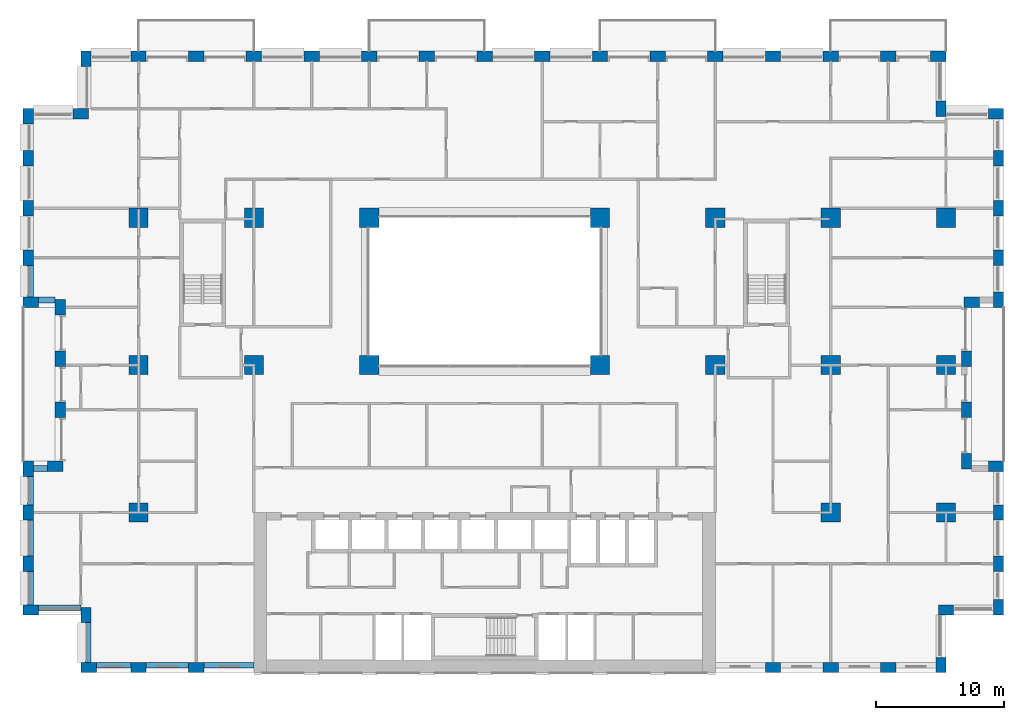
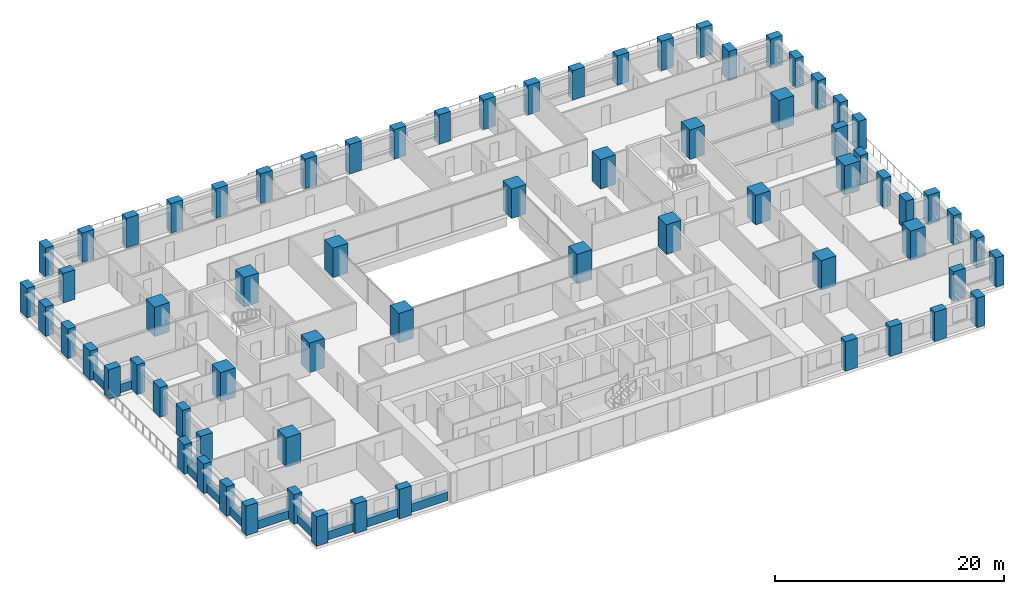
# One storey, part 1 of 20: 70 columns, 11 beams.
"""IFC4 building model written with IfcOpenShell, lengths in metres."""

from ifc_helpers import new_model, si_unit, direction, frame, origin, origin_2d, place, context, subcontext, project, spatial, rectangle, extrude, material, material_profile, profile_set, type_object, element, save


model = new_model("IFC4")

# Units and contexts
model_context = context("Model", 3, precision=1e-05, world=origin(), true_north=direction((0.0, 1.0)))
body_context = subcontext(model_context, "Body", "Model", "MODEL_VIEW")
ifc_project = project(units=[si_unit("LENGTHUNIT", "METRE"), si_unit("AREAUNIT", "SQUARE_METRE"), si_unit("VOLUMEUNIT", "CUBIC_METRE"), si_unit("PLANEANGLEUNIT", "RADIAN"), si_unit("MASSUNIT", "GRAM", prefix="KILO")], contexts=[model_context])

# Site, building, storey
site_placement = place(None, origin())
site = spatial("IfcSite", under=ifc_project, at=site_placement, CompositionType="ELEMENT")
building_placement = place(site_placement, origin())
building = spatial("IfcBuilding", under=site, at=building_placement, Name="Brigalow Station Residences", CompositionType="ELEMENT")
storey_placement = place(building_placement, frame((0.0, 0.0, 41.550048828125)))
storey = spatial("IfcBuildingStorey", under=building, at=storey_placement, Name="L11", CompositionType="ELEMENT", Elevation=41.550048828125)

# Columns
ifc_material_1 = material(Name="Concrete C80", Category="concrete")
ifc_material_profile_1 = material_profile(ifc_material_1, rectangle(XDim=1.5, YDim=1.5, at=origin_2d()), Name="RC1500x1500")
ifc_profile_set_1 = profile_set([ifc_material_profile_1], Name="Concrete C80")
column_type_1 = type_object("IfcColumnType", Name="COLUMN 1500x1500 C80", PredefinedType="COLUMN", material=ifc_profile_set_1)
for number, where, z_axis, x_axis, name in (
    (1, (9.0, 24.0, 0.0), (0.0, 0.0, 1.0), (1.0, 0.0, 0.0), "COLUMN C1 L11"),
    (2, (18.0, 24.0, 0.0), (0.0, 0.0, 1.0), (1.0, 0.0, 0.0), "COLUMN C2 L11"),
    (3, (27.0, 24.0, 0.0), (0.0, 0.0, 1.0), (1.0, 0.0, 0.0), "COLUMN C3 L11"),
    (4, (45.0, 24.0, 0.0), (0.0, 0.0, 1.0), (1.0, 0.0, 0.0), "COLUMN C5 L11"),
    (5, (54.0, 24.0, 0.0), (0.0, 0.0, 1.0), (1.0, 0.0, 0.0), "COLUMN C6 L11"),
    (6, (63.0, 24.0, 0.0), (0.0, 0.0, 1.0), (1.0, 0.0, 0.0), "COLUMN C7 L11"),
    (7, (72.0, 24.0, 0.0), (0.0, 0.0, 1.0), (1.0, 0.0, 0.0), "COLUMN C8 L11"),
    (8, (9.0, 35.5, 0.0), (0.0, 0.0, 1.0), (1.0, 0.0, 0.0), "COLUMN D1 L11"),
    (9, (18.0, 35.5, 0.0), (0.0, 0.0, 1.0), (1.0, 0.0, 0.0), "COLUMN D2 L11"),
    (10, (27.0, 35.5, 0.0), (0.0, 0.0, 1.0), (1.0, 0.0, 0.0), "COLUMN D3 L11"),
    (11, (45.0, 35.5, 0.0), (0.0, 0.0, 1.0), (1.0, 0.0, 0.0), "COLUMN D5 L11"),
    (12, (54.0, 35.5, 0.0), (0.0, 0.0, 1.0), (1.0, 0.0, 0.0), "COLUMN D6 L11"),
    (13, (63.0, 35.5, 0.0), (0.0, 0.0, 1.0), (1.0, 0.0, 0.0), "COLUMN D7 L11"),
    (14, (72.0, 35.5, 0.0), (0.0, 0.0, 1.0), (1.0, 0.0, 0.0), "COLUMN D8 L11"),
    (15, (9.0, 12.5, 0.0), (0.0, 0.0, 1.0), (1.0, 0.0, 0.0), "COLUMN B1 L11"),
    (16, (63.0, 12.5, 0.0), (0.0, 0.0, 1.0), (1.0, 0.0, 0.0), "COLUMN B7 L11"),
    (17, (72.0, 12.5, 0.0), (0.0, 0.0, 1.0), (1.0, 0.0, 0.0), "COLUMN B8 L11"),
):
    element("IfcColumn", number, at=place(storey_placement, frame(where, z_axis=z_axis, x_axis=x_axis)), inside=storey, type_object=column_type_1, Name=name, PredefinedType="COLUMN", context=body_context, shape_type="SweptSolid", body=[
        extrude(rectangle(XDim=1.5, YDim=1.5, at=origin_2d()), origin(), (0.0, 0.0, 1.0), 3.14990234375),
    ])
ifc_material_2 = material(Name="Concrete C80", Category="concrete")
ifc_material_profile_2 = material_profile(ifc_material_2, rectangle(XDim=1.199951171875, YDim=0.800048828125, at=origin_2d()), Name="RC1200x800")
ifc_profile_set_2 = profile_set([ifc_material_profile_2], Name="Concrete C80")
column_type_2 = type_object("IfcColumnType", Name="PIER 1200x800 C80", PredefinedType="USERDEFINED", material=ifc_profile_set_2)
for number, where, z_axis, x_axis, name in (
    (18, (5.10009765625, 0.39990234375, 0.0), (0.0, 0.0, 1.0), (1.0, 0.0, 0.0), "PIER S-1 L11"),
    (19, (9.0, 0.39990234375, 0.0), (0.0, 0.0, 1.0), (1.0, 0.0, 0.0), "PIER S-2 L11"),
    (20, (13.5, 0.39990234375, 0.0), (0.0, 0.0, 1.0), (1.0, 0.0, 0.0), "PIER S-3 L11"),
    (21, (58.5, 0.39990234375, 0.0), (0.0, 0.0, 1.0), (1.0, 0.0, 0.0), "PIER S-13 L11"),
    (22, (63.0, 0.39990234375, 0.0), (0.0, 0.0, 1.0), (1.0, 0.0, 0.0), "PIER S-14 L11"),
    (23, (67.5, 0.39990234375, 0.0), (0.0, 0.0, 1.0), (1.0, 0.0, 0.0), "PIER S-15 L11"),
    (24, (71.60009765625, 0.60009765625, 0.0), (0.0, 0.0, 1.0), (0.0, 1.0, 0.0), "PIER SE1-1 L11"),
    (25, (72.0, 4.89990234375, 0.0), (0.0, 0.0, 1.0), (1.0, 0.0, 0.0), "PIER SE2-1 L11"),
    (26, (76.10009765625, 5.10009765625, 0.0), (0.0, 0.0, 1.0), (0.0, 1.0, 0.0), "PIER E1-1 L11"),
    (27, (76.10009765625, 8.5, 0.0), (0.0, 0.0, 1.0), (0.0, 1.0, 0.0), "PIER E1-2 L11"),
    (28, (76.10009765625, 12.5, 0.0), (0.0, 0.0, 1.0), (0.0, 1.0, 0.0), "PIER E1-3 L11"),
    (29, (75.89990234375, 16.10009765625, 0.0), (0.0, 0.0, 1.0), (-1.0, 0.0, 0.0), "PIER EL1-1 L11"),
    (30, (73.60009765625, 16.5, 0.0), (0.0, 0.0, 1.0), (0.0, 1.0, 0.0), "PIER EL2-1 L11"),
    (31, (73.60009765625, 20.5, 0.0), (0.0, 0.0, 1.0), (0.0, 1.0, 0.0), "PIER EL2-2 L11"),
    (32, (73.60009765625, 24.5, 0.0), (0.0, 0.0, 1.0), (0.0, 1.0, 0.0), "PIER EL2-3 L11"),
    (33, (74.0, 28.89990234375, 0.0), (0.0, 0.0, 1.0), (1.0, 0.0, 0.0), "PIER EL3-1 L11"),
    (34, (76.10009765625, 29.10009765625, 0.0), (0.0, 0.0, 1.0), (0.0, 1.0, 0.0), "PIER E2-1 L11"),
    (35, (76.10009765625, 32.375, 0.0), (0.0, 0.0, 1.0), (0.0, 1.0, 0.0), "PIER E2-2 L11"),
    (36, (76.10009765625, 36.25, 0.0), (0.0, 0.0, 1.0), (0.0, 1.0, 0.0), "PIER E2-3 L11"),
    (37, (76.10009765625, 40.125, 0.0), (0.0, 0.0, 1.0), (0.0, 1.0, 0.0), "PIER E2-4 L11"),
    (38, (75.89990234375, 43.60009765625, 0.0), (0.0, 0.0, 1.0), (-1.0, 0.0, 0.0), "PIER NE1-1 L11"),
    (39, (71.60009765625, 44.0, 0.0), (0.0, 0.0, 1.0), (0.0, 1.0, 0.0), "PIER NE2-1 L11"),
    (40, (71.39990234375, 48.10009765625, 0.0), (0.0, 0.0, 1.0), (-1.0, 0.0, 0.0), "PIER N-1 L11"),
    (41, (67.5, 48.10009765625, 0.0), (0.0, 0.0, 1.0), (-1.0, 0.0, 0.0), "PIER N-2 L11"),
    (42, (63.0, 48.10009765625, 0.0), (0.0, 0.0, 1.0), (-1.0, 0.0, 0.0), "PIER N-3 L11"),
    (43, (58.5, 48.10009765625, 0.0), (0.0, 0.0, 1.0), (-1.0, 0.0, 0.0), "PIER N-4 L11"),
    (44, (54.0, 48.10009765625, 0.0), (0.0, 0.0, 1.0), (-1.0, 0.0, 0.0), "PIER N-5 L11"),
    (45, (49.5, 48.10009765625, 0.0), (0.0, 0.0, 1.0), (-1.0, 0.0, 0.0), "PIER N-6 L11"),
    (46, (45.0, 48.10009765625, 0.0), (0.0, 0.0, 1.0), (-1.0, 0.0, 0.0), "PIER N-7 L11"),
    (47, (40.5, 48.10009765625, 0.0), (0.0, 0.0, 1.0), (-1.0, 0.0, 0.0), "PIER N-8 L11"),
    (48, (36.0, 48.10009765625, 0.0), (0.0, 0.0, 1.0), (-1.0, 0.0, 0.0), "PIER N-9 L11"),
    (49, (31.5, 48.10009765625, 0.0), (0.0, 0.0, 1.0), (-1.0, 0.0, 0.0), "PIER N-10 L11"),
    (50, (27.0, 48.10009765625, 0.0), (0.0, 0.0, 1.0), (-1.0, 0.0, 0.0), "PIER N-11 L11"),
    (51, (22.5, 48.10009765625, 0.0), (0.0, 0.0, 1.0), (-1.0, 0.0, 0.0), "PIER N-12 L11"),
    (52, (18.0, 48.10009765625, 0.0), (0.0, 0.0, 1.0), (-1.0, 0.0, 0.0), "PIER N-13 L11"),
    (53, (13.5, 48.10009765625, 0.0), (0.0, 0.0, 1.0), (-1.0, 0.0, 0.0), "PIER N-14 L11"),
    (54, (9.0, 48.10009765625, 0.0), (0.0, 0.0, 1.0), (-1.0, 0.0, 0.0), "PIER N-15 L11"),
    (55, (4.89990234375, 47.89990234375, 0.0), (0.0, 0.0, 1.0), (0.0, -1.0, 0.0), "PIER NW1-1 L11"),
    (56, (4.5, 43.60009765625, 0.0), (0.0, 0.0, 1.0), (-1.0, 0.0, 0.0), "PIER NW2-1 L11"),
    (57, (0.39990234375, 43.39990234375, 0.0), (0.0, 0.0, 1.0), (0.0, -1.0, 0.0), "PIER W2-1 L11"),
    (58, (0.39990234375, 40.125, 0.0), (0.0, 0.0, 1.0), (0.0, -1.0, 0.0), "PIER W2-2 L11"),
    (59, (0.39990234375, 36.25, 0.0), (0.0, 0.0, 1.0), (0.0, -1.0, 0.0), "PIER W2-3 L11"),
    (60, (0.39990234375, 32.375, 0.0), (0.0, 0.0, 1.0), (0.0, -1.0, 0.0), "PIER W2-4 L11"),
    (61, (0.60009765625, 28.89990234375, 0.0), (0.0, 0.0, 1.0), (1.0, 0.0, 0.0), "PIER WL1-1 L11"),
    (62, (2.89990234375, 28.5, 0.0), (0.0, 0.0, 1.0), (0.0, -1.0, 0.0), "PIER WL2-1 L11"),
    (63, (2.89990234375, 24.5, 0.0), (0.0, 0.0, 1.0), (0.0, -1.0, 0.0), "PIER WL2-2 L11"),
    (64, (2.89990234375, 20.5, 0.0), (0.0, 0.0, 1.0), (0.0, -1.0, 0.0), "PIER WL2-3 L11"),
    (65, (2.5, 16.10009765625, 0.0), (0.0, 0.0, 1.0), (-1.0, 0.0, 0.0), "PIER WL3-1 L11"),
    (66, (0.39990234375, 15.89990234375, 0.0), (0.0, 0.0, 1.0), (0.0, -1.0, 0.0), "PIER W1-1 L11"),
    (67, (0.39990234375, 12.5, 0.0), (0.0, 0.0, 1.0), (0.0, -1.0, 0.0), "PIER W1-2 L11"),
    (68, (0.39990234375, 8.5, 0.0), (0.0, 0.0, 1.0), (0.0, -1.0, 0.0), "PIER W1-3 L11"),
    (69, (0.60009765625, 4.89990234375, 0.0), (0.0, 0.0, 1.0), (1.0, 0.0, 0.0), "PIER SW1-1 L11"),
    (70, (4.89990234375, 4.5, 0.0), (0.0, 0.0, 1.0), (0.0, -1.0, 0.0), "PIER SW2-1 L11"),
):
    element("IfcColumn", number, at=place(storey_placement, frame(where, z_axis=z_axis, x_axis=x_axis)), inside=storey, type_object=column_type_2, Name=name, ObjectType="PIER", PredefinedType="USERDEFINED", context=body_context, shape_type="SweptSolid", body=[
        extrude(rectangle(XDim=1.199951171875, YDim=0.800048828125, at=origin_2d()), origin(), (0.0, 0.0, 1.0), 3.14990234375),
    ])

# Beams
ifc_material_3 = material(Name="Concrete C65", Category="concrete")
ifc_material_profile_3 = material_profile(ifc_material_3, rectangle(XDim=0.449951171875, YDim=0.89990234375, at=origin_2d()), Name="RC450x900")
ifc_profile_set_3 = profile_set([ifc_material_profile_3], Name="Concrete C65")
beam_type = type_object("IfcBeamType", Name="SPANDREL BEAM 450x900 C65", PredefinedType="SPANDREL", material=ifc_profile_set_3)
beam_1_placement = place(storey_placement, frame((5.699951171875, 0.574951171875, 0.449951171875), z_axis=(1.0, 0.0, 0.0), x_axis=(0.0, 1.0, 0.0)))
element("IfcBeam", 71, at=beam_1_placement, inside=storey, type_object=beam_type, Name="L11/spandrel/W-L11-1", PredefinedType="SPANDREL", context=body_context, shape_type="SweptSolid", body=[
    extrude(rectangle(XDim=0.449951171875, YDim=0.89990234375, at=origin_2d()), origin(), (0.0, 0.0, 1.0), 2.699951171875),
])
beam_2_placement = place(storey_placement, frame((9.60009765625, 0.574951171875, 0.449951171875), z_axis=(1.0, 0.0, 0.0), x_axis=(0.0, 1.0, 0.0)))
element("IfcBeam", 72, at=beam_2_placement, inside=storey, type_object=beam_type, Name="L11/spandrel/W-L11-2", PredefinedType="SPANDREL", context=body_context, shape_type="SweptSolid", body=[
    extrude(rectangle(XDim=0.449951171875, YDim=0.89990234375, at=origin_2d()), origin(), (0.0, 0.0, 1.0), 3.2998046875),
])
beam_3_placement = place(storey_placement, frame((14.10009765625, 0.574951171875, 0.449951171875), z_axis=(1.0, 0.0, 0.0), x_axis=(0.0, 1.0, 0.0)))
element("IfcBeam", 73, at=beam_3_placement, inside=storey, type_object=beam_type, Name="L11/spandrel/W-L11-3", PredefinedType="SPANDREL", context=body_context, shape_type="SweptSolid", body=[
    extrude(rectangle(XDim=0.449951171875, YDim=0.89990234375, at=origin_2d()), origin(), (0.0, 0.0, 1.0), 3.89990234375),
])
beam_4_placement = place(storey_placement, frame((0.574951171875, 31.77490234375, 0.449951171875), z_axis=(0.0, -1.0, 0.0), x_axis=(1.0, 0.0, 0.0)))
element("IfcBeam", 74, at=beam_4_placement, inside=storey, type_object=beam_type, Name="L11/spandrel/W-L11-45", PredefinedType="SPANDREL", context=body_context, shape_type="SweptSolid", body=[
    extrude(rectangle(XDim=0.449951171875, YDim=0.89990234375, at=origin_2d()), origin(), (0.0, 0.0, 1.0), 2.474853515625),
])
beam_5_placement = place(storey_placement, frame((1.199951171875, 29.074951171875, 0.449951171875), z_axis=(1.0, 0.0, 0.0), x_axis=(0.0, 1.0, 0.0)))
element("IfcBeam", 75, at=beam_5_placement, inside=storey, type_object=beam_type, Name="L11/spandrel/W-L11-46", PredefinedType="SPANDREL", context=body_context, shape_type="SweptSolid", body=[
    extrude(rectangle(XDim=0.449951171875, YDim=0.89990234375, at=origin_2d()), origin(), (0.0, 0.0, 1.0), 1.300048828125),
])
beam_6_placement = place(storey_placement, frame((1.89990234375, 15.925048828125, 0.449951171875), z_axis=(-1.0, 0.0, 0.0), x_axis=(0.0, -1.0, 0.0)))
element("IfcBeam", 76, at=beam_6_placement, inside=storey, type_object=beam_type, Name="L11/spandrel/W-L11-50", PredefinedType="SPANDREL", context=body_context, shape_type="SweptSolid", body=[
    extrude(rectangle(XDim=0.449951171875, YDim=0.89990234375, at=origin_2d()), origin(), (0.0, 0.0, 1.0), 1.099853515625),
])
beam_7_placement = place(storey_placement, frame((0.574951171875, 15.300048828125, 0.449951171875), z_axis=(0.0, -1.0, 0.0), x_axis=(1.0, 0.0, 0.0)))
element("IfcBeam", 77, at=beam_7_placement, inside=storey, type_object=beam_type, Name="L11/spandrel/W-L11-51", PredefinedType="SPANDREL", context=body_context, shape_type="SweptSolid", body=[
    extrude(rectangle(XDim=0.449951171875, YDim=0.89990234375, at=origin_2d()), origin(), (0.0, 0.0, 1.0), 2.199951171875),
])
beam_8_placement = place(storey_placement, frame((0.574951171875, 11.89990234375, 0.449951171875), z_axis=(0.0, -1.0, 0.0), x_axis=(1.0, 0.0, 0.0)))
element("IfcBeam", 78, at=beam_8_placement, inside=storey, type_object=beam_type, Name="L11/spandrel/W-L11-52", PredefinedType="SPANDREL", context=body_context, shape_type="SweptSolid", body=[
    extrude(rectangle(XDim=0.449951171875, YDim=0.89990234375, at=origin_2d()), origin(), (0.0, 0.0, 1.0), 2.7998046875),
])
beam_9_placement = place(storey_placement, frame((0.574951171875, 7.89990234375, 0.449951171875), z_axis=(0.0, -1.0, 0.0), x_axis=(1.0, 0.0, 0.0)))
element("IfcBeam", 79, at=beam_9_placement, inside=storey, type_object=beam_type, Name="L11/spandrel/W-L11-53", PredefinedType="SPANDREL", context=body_context, shape_type="SweptSolid", body=[
    extrude(rectangle(XDim=0.449951171875, YDim=0.89990234375, at=origin_2d()), origin(), (0.0, 0.0, 1.0), 2.599853515625),
])
beam_10_placement = place(storey_placement, frame((1.199951171875, 5.074951171875, 0.449951171875), z_axis=(1.0, 0.0, 0.0), x_axis=(0.0, 1.0, 0.0)))
element("IfcBeam", 80, at=beam_10_placement, inside=storey, type_object=beam_type, Name="L11/spandrel/W-L11-54", PredefinedType="SPANDREL", context=body_context, shape_type="SweptSolid", body=[
    extrude(rectangle(XDim=0.449951171875, YDim=0.89990234375, at=origin_2d()), origin(), (0.0, 0.0, 1.0), 3.300048828125),
])
beam_11_placement = place(storey_placement, frame((5.074951171875, 3.89990234375, 0.449951171875), z_axis=(0.0, -1.0, 0.0), x_axis=(1.0, 0.0, 0.0)))
element("IfcBeam", 81, at=beam_11_placement, inside=storey, type_object=beam_type, Name="L11/spandrel/W-L11-55", PredefinedType="SPANDREL", context=body_context, shape_type="SweptSolid", body=[
    extrude(rectangle(XDim=0.449951171875, YDim=0.89990234375, at=origin_2d()), origin(), (0.0, 0.0, 1.0), 3.099853515625),
])

save(model, "model.ifc")
